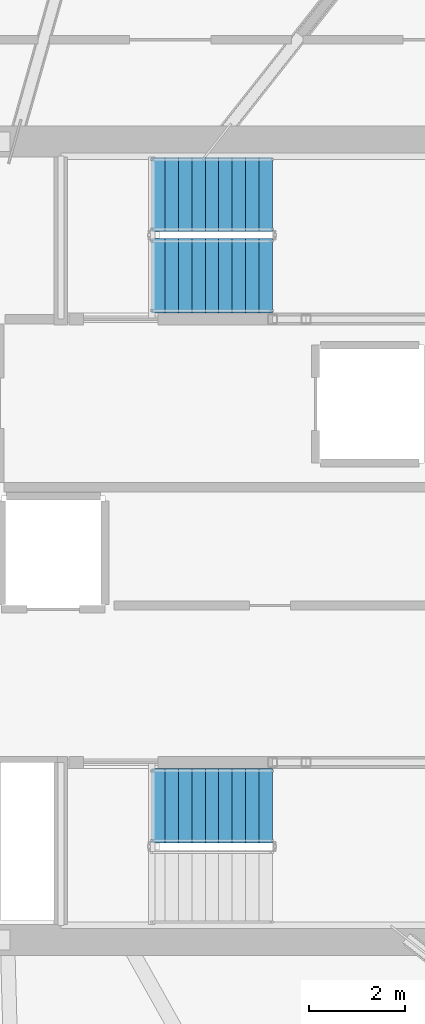
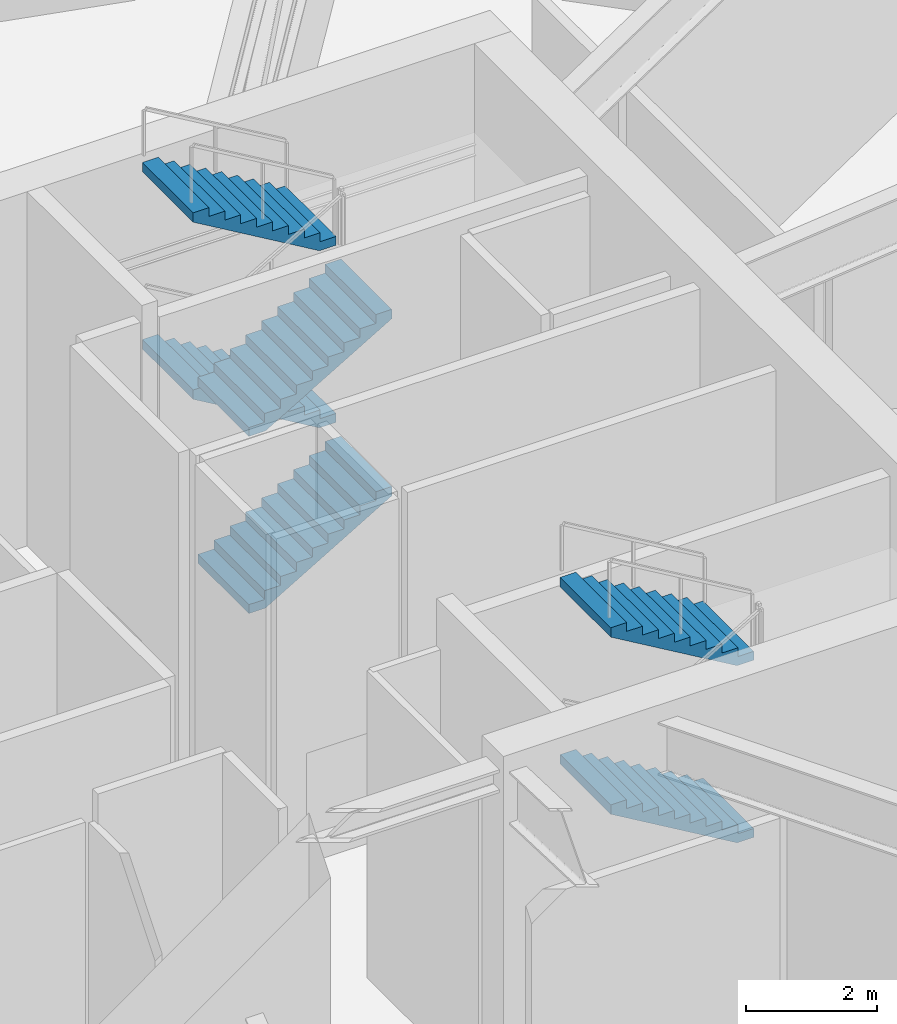
# One storey, part 15 of 20: 6 stair flights, 2 elements without a shape of their own.
"""IFC4 building model written with IfcOpenShell, lengths in metres."""

from ifc_helpers import new_model, si_unit, direction, frame, origin, place, context, subcontext, project, spatial, polyline, outline, extrude, material, type_object, element, aggregate, save


model = new_model("IFC4")

# Units and contexts
model_context = context("Model", 3, precision=1e-05, world=origin(), true_north=direction((0.0, 1.0)))
body_context = subcontext(model_context, "Body", "Model", "MODEL_VIEW")
ifc_project = project(units=[si_unit("LENGTHUNIT", "METRE"), si_unit("AREAUNIT", "SQUARE_METRE"), si_unit("VOLUMEUNIT", "CUBIC_METRE"), si_unit("PLANEANGLEUNIT", "RADIAN"), si_unit("MASSUNIT", "GRAM", prefix="KILO")], contexts=[model_context])

# Site, building, storey
site_placement = place(None, origin())
site = spatial("IfcSite", under=ifc_project, at=site_placement, CompositionType="ELEMENT")
building_placement = place(site_placement, origin())
building = spatial("IfcBuilding", under=site, at=building_placement, Name="Kazma Halo Residences", CompositionType="ELEMENT")
storey_placement = place(building_placement, frame((0.0, 0.0, 225.300048828125)))
storey = spatial("IfcBuildingStorey", under=building, at=storey_placement, Name="L57", CompositionType="ELEMENT", Elevation=225.300048828125)

# Stair, stair flights
ifc_material = material(Name="Concrete C50/60", Category="concrete")
stair_type = type_object("IfcStairType", Name="STR-CRWN", PredefinedType="HALF_TURN_STAIR", material=ifc_material)
stair_1_placement = place(storey_placement, origin())
stair_1 = element("IfcStair", 1, at=stair_1_placement, inside=storey, type_object=stair_type, Name="L57 Core exit stair ST-02", PredefinedType="HALF_TURN_STAIR")
stair_flight_type = type_object("IfcStairFlightType", Name="STR-CRWN-FLT", PredefinedType="STRAIGHT", material=ifc_material)
stair_flight_1_placement = place(storey_placement, frame((53.199951171875, 47.52490234375, 0.0), z_axis=(0.0, 0.0, 1.0), x_axis=(1.0, 0.0, 0.0)))
stair_flight_1 = element("IfcStairFlight", 2, at=stair_flight_1_placement, type_object=stair_flight_type, Name="ST-02 flight 1", NumberOfRisers=10, NumberOfTreads=9, PredefinedType="STRAIGHT", RiserHeight=0.165, TreadLength=0.28, context=body_context, shape_type="SweptSolid", body=[
    extrude(outline(polyline([(0.0, 0.0), (0.0, 0.1650390625), (0.280029296875, 0.1650390625), (0.280029296875, 0.330078125), (0.56005859375, 0.330078125), (0.56005859375, 0.4951171875), (0.840087890625, 0.4951171875), (0.840087890625, 0.659912109375), (1.1201171875, 0.659912109375), (1.1201171875, 0.824951171875), (1.39990234375, 0.824951171875), (1.39990234375, 0.989990234375), (1.679931640625, 0.989990234375), (1.679931640625, 1.155029296875), (1.9599609375, 1.155029296875), (1.9599609375, 1.320068359375), (2.239990234375, 1.320068359375), (2.239990234375, 1.485107421875), (2.52001953125, 1.485107421875), (2.52001953125, 1.64990234375), (2.52001953125, 1.31103515625), (0.295166015625, 0.0), (0.0, 0.0)])), frame((0.0, 0.77490234375, 0.0), z_axis=(0.0, -1.0, 0.0), x_axis=(1.0, 0.0, 0.0)), (0.0, 0.0, 1.0), 1.550048828125),
])
stair_flight_2_placement = place(storey_placement, frame((55.719970703125, 49.22509765625, 1.64990234375), z_axis=(0.0, 0.0, 1.0), x_axis=(-1.0, 0.0, 0.0)))
stair_flight_2 = element("IfcStairFlight", 3, at=stair_flight_2_placement, type_object=stair_flight_type, Name="ST-02 flight 2", NumberOfRisers=10, NumberOfTreads=9, PredefinedType="STRAIGHT", RiserHeight=0.165, TreadLength=0.28, context=body_context, shape_type="SweptSolid", body=[
    extrude(outline(polyline([(0.0, 0.0), (0.0, 0.1650390625), (0.280029296875, 0.1650390625), (0.280029296875, 0.330078125), (0.56005859375, 0.330078125), (0.56005859375, 0.4951171875), (0.840087890625, 0.4951171875), (0.840087890625, 0.659912109375), (1.1201171875, 0.659912109375), (1.1201171875, 0.824951171875), (1.39990234375, 0.824951171875), (1.39990234375, 0.989990234375), (1.679931640625, 0.989990234375), (1.679931640625, 1.155029296875), (1.9599609375, 1.155029296875), (1.9599609375, 1.320068359375), (2.239990234375, 1.320068359375), (2.239990234375, 1.485107421875), (2.52001953125, 1.485107421875), (2.52001953125, 1.64990234375), (2.52001953125, 1.31103515625), (0.295166015625, 0.0), (0.0, 0.0)])), frame((0.0, 0.77490234375, 0.0), z_axis=(0.0, -1.0, 0.0), x_axis=(1.0, 0.0, 0.0)), (0.0, 0.0, 1.0), 1.550048828125),
])
stair_flight_3_placement = place(storey_placement, frame((53.199951171875, 47.52490234375, 3.300048828125), z_axis=(0.0, 0.0, 1.0), x_axis=(1.0, 0.0, 0.0)))
stair_flight_3 = element("IfcStairFlight", 4, at=stair_flight_3_placement, type_object=stair_flight_type, Name="ST-02 flight 3", NumberOfRisers=10, NumberOfTreads=9, PredefinedType="STRAIGHT", RiserHeight=0.165, TreadLength=0.28, context=body_context, shape_type="SweptSolid", body=[
    extrude(outline(polyline([(0.0, 0.0), (0.0, 0.1650390625), (0.280029296875, 0.1650390625), (0.280029296875, 0.330078125), (0.56005859375, 0.330078125), (0.56005859375, 0.4951171875), (0.840087890625, 0.4951171875), (0.840087890625, 0.659912109375), (1.1201171875, 0.659912109375), (1.1201171875, 0.824951171875), (1.39990234375, 0.824951171875), (1.39990234375, 0.989990234375), (1.679931640625, 0.989990234375), (1.679931640625, 1.155029296875), (1.9599609375, 1.155029296875), (1.9599609375, 1.320068359375), (2.239990234375, 1.320068359375), (2.239990234375, 1.485107421875), (2.52001953125, 1.485107421875), (2.52001953125, 1.64990234375), (2.52001953125, 1.31103515625), (0.295166015625, 0.0), (0.0, 0.0)])), frame((0.0, 0.77490234375, 0.0), z_axis=(0.0, -1.0, 0.0), x_axis=(1.0, 0.0, 0.0)), (0.0, 0.0, 1.0), 1.550048828125),
])
stair_flight_4_placement = place(storey_placement, frame((55.719970703125, 49.22509765625, 4.949951171875), z_axis=(0.0, 0.0, 1.0), x_axis=(-1.0, 0.0, 0.0)))
stair_flight_4 = element("IfcStairFlight", 5, at=stair_flight_4_placement, type_object=stair_flight_type, Name="ST-02 flight 4", NumberOfRisers=10, NumberOfTreads=9, PredefinedType="STRAIGHT", RiserHeight=0.165, TreadLength=0.28, context=body_context, shape_type="SweptSolid", body=[
    extrude(outline(polyline([(0.0, 0.0), (0.0, 0.1650390625), (0.280029296875, 0.1650390625), (0.280029296875, 0.330078125), (0.56005859375, 0.330078125), (0.56005859375, 0.4951171875), (0.840087890625, 0.4951171875), (0.840087890625, 0.659912109375), (1.1201171875, 0.659912109375), (1.1201171875, 0.824951171875), (1.39990234375, 0.824951171875), (1.39990234375, 0.989990234375), (1.679931640625, 0.989990234375), (1.679931640625, 1.155029296875), (1.9599609375, 1.155029296875), (1.9599609375, 1.320068359375), (2.239990234375, 1.320068359375), (2.239990234375, 1.485107421875), (2.52001953125, 1.485107421875), (2.52001953125, 1.64990234375), (2.52001953125, 1.31103515625), (0.295166015625, 0.0), (0.0, 0.0)])), frame((0.0, 0.77490234375, 0.0), z_axis=(0.0, -1.0, 0.0), x_axis=(1.0, 0.0, 0.0)), (0.0, 0.0, 1.0), 1.550048828125),
])
aggregate(stair_1, [stair_flight_1, stair_flight_2, stair_flight_3, stair_flight_4])

stair_2_placement = place(storey_placement, origin())
stair_2 = element("IfcStair", 6, at=stair_2_placement, inside=storey, type_object=stair_type, Name="L57 Core exit stair ST-03", PredefinedType="HALF_TURN_STAIR")
stair_flight_5_placement = place(storey_placement, frame((55.719970703125, 36.47509765625, 1.64990234375), z_axis=(0.0, 0.0, 1.0), x_axis=(-1.0, 0.0, 0.0)))
stair_flight_5 = element("IfcStairFlight", 7, at=stair_flight_5_placement, type_object=stair_flight_type, Name="ST-03 flight 2", NumberOfRisers=10, NumberOfTreads=9, PredefinedType="STRAIGHT", RiserHeight=0.165, TreadLength=0.28, context=body_context, shape_type="SweptSolid", body=[
    extrude(outline(polyline([(0.0, 0.0), (0.0, 0.1650390625), (0.280029296875, 0.1650390625), (0.280029296875, 0.330078125), (0.56005859375, 0.330078125), (0.56005859375, 0.4951171875), (0.840087890625, 0.4951171875), (0.840087890625, 0.659912109375), (1.1201171875, 0.659912109375), (1.1201171875, 0.824951171875), (1.39990234375, 0.824951171875), (1.39990234375, 0.989990234375), (1.679931640625, 0.989990234375), (1.679931640625, 1.155029296875), (1.9599609375, 1.155029296875), (1.9599609375, 1.320068359375), (2.239990234375, 1.320068359375), (2.239990234375, 1.485107421875), (2.52001953125, 1.485107421875), (2.52001953125, 1.64990234375), (2.52001953125, 1.31103515625), (0.295166015625, 0.0), (0.0, 0.0)])), frame((0.0, 0.77490234375, 0.0), z_axis=(0.0, -1.0, 0.0), x_axis=(1.0, 0.0, 0.0)), (0.0, 0.0, 1.0), 1.550048828125),
])
stair_flight_6_placement = place(storey_placement, frame((55.719970703125, 36.47509765625, 4.949951171875), z_axis=(0.0, 0.0, 1.0), x_axis=(-1.0, 0.0, 0.0)))
stair_flight_6 = element("IfcStairFlight", 8, at=stair_flight_6_placement, type_object=stair_flight_type, Name="ST-03 flight 4", NumberOfRisers=10, NumberOfTreads=9, PredefinedType="STRAIGHT", RiserHeight=0.165, TreadLength=0.28, context=body_context, shape_type="SweptSolid", body=[
    extrude(outline(polyline([(0.0, 0.0), (0.0, 0.1650390625), (0.280029296875, 0.1650390625), (0.280029296875, 0.330078125), (0.56005859375, 0.330078125), (0.56005859375, 0.4951171875), (0.840087890625, 0.4951171875), (0.840087890625, 0.659912109375), (1.1201171875, 0.659912109375), (1.1201171875, 0.824951171875), (1.39990234375, 0.824951171875), (1.39990234375, 0.989990234375), (1.679931640625, 0.989990234375), (1.679931640625, 1.155029296875), (1.9599609375, 1.155029296875), (1.9599609375, 1.320068359375), (2.239990234375, 1.320068359375), (2.239990234375, 1.485107421875), (2.52001953125, 1.485107421875), (2.52001953125, 1.64990234375), (2.52001953125, 1.31103515625), (0.295166015625, 0.0), (0.0, 0.0)])), frame((0.0, 0.77490234375, 0.0), z_axis=(0.0, -1.0, 0.0), x_axis=(1.0, 0.0, 0.0)), (0.0, 0.0, 1.0), 1.550048828125),
])
aggregate(stair_2, [stair_flight_5, stair_flight_6])

save(model, "model.ifc")
